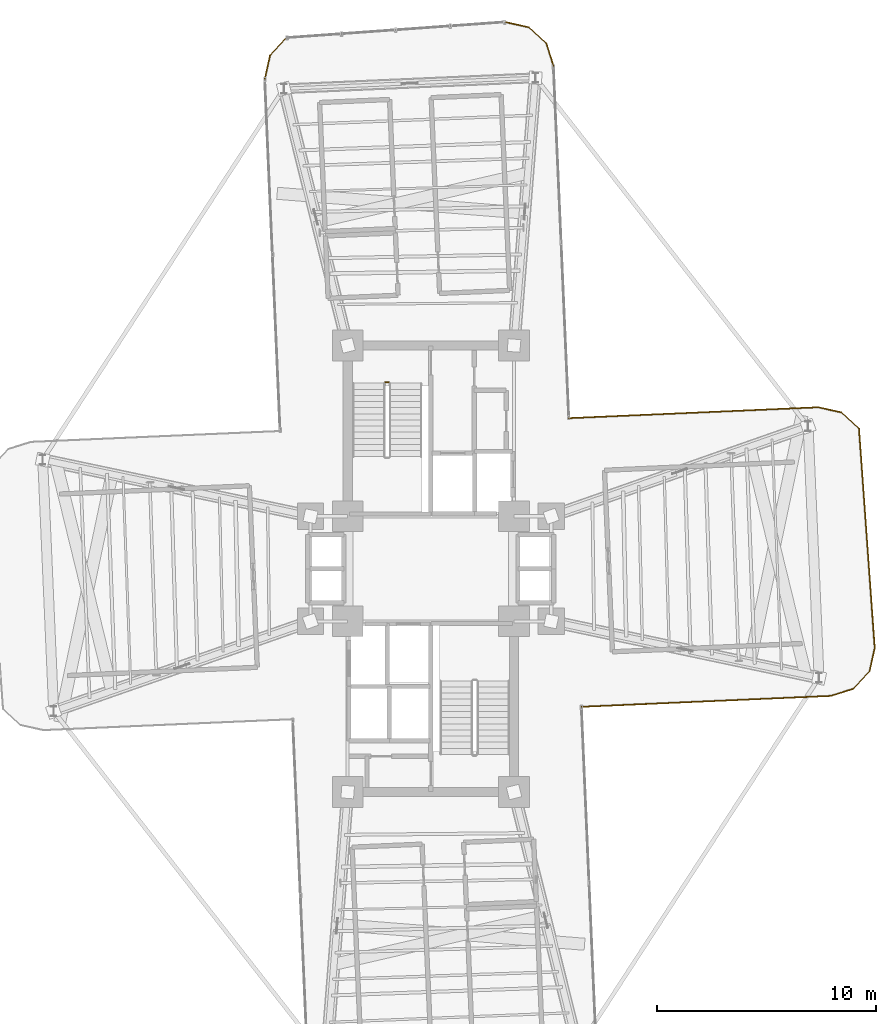
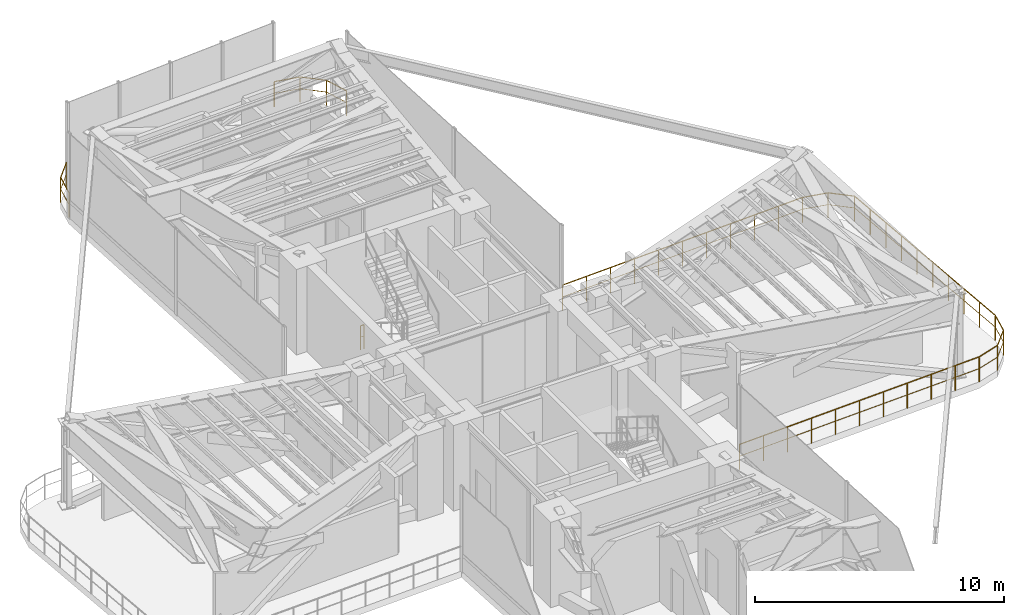
# One storey, part 18 of 18: 14 railings.
"""IFC4 building model written with IfcOpenShell, lengths in metres."""

from ifc_helpers import new_model, si_unit, direction, frame, origin, origin_2d, place, context, subcontext, project, spatial, circle, extrude, material, type_object, element, save


model = new_model("IFC4")

# Units and contexts
model_context = context("Model", 3, precision=1e-05, world=origin(), true_north=direction((0.0, 1.0)))
body_context = subcontext(model_context, "Body", "Model", "MODEL_VIEW")
ifc_project = project(units=[si_unit("LENGTHUNIT", "METRE"), si_unit("AREAUNIT", "SQUARE_METRE"), si_unit("VOLUMEUNIT", "CUBIC_METRE"), si_unit("PLANEANGLEUNIT", "RADIAN"), si_unit("MASSUNIT", "GRAM", prefix="KILO")], contexts=[model_context])

# Site, building, storey
site_placement = place(None, origin())
site = spatial("IfcSite", under=ifc_project, at=site_placement, CompositionType="ELEMENT")
building_placement = place(site_placement, origin())
building = spatial("IfcBuilding", under=site, at=building_placement, Name="Sahyath Konkavel Grand Hotel", CompositionType="ELEMENT")
storey_placement = place(building_placement, frame((0.0, 0.0, 138.25)))
storey = spatial("IfcBuildingStorey", under=building, at=storey_placement, Name="L38", CompositionType="ELEMENT", Elevation=138.25)

# Railings
ifc_material_1 = material(Name="Steel E350", Category="steel")
railing_type_1 = type_object("IfcRailingType", Name="RLG-STAIR-GRD", PredefinedType="GUARDRAIL", material=ifc_material_1)
railing_1_placement = place(storey_placement, frame((-2.080078125, 8.530029296875, 0.0)))
element("IfcRailing", 1, at=railing_1_placement, inside=storey, type_object=railing_type_1, Name="L38 ST-1 stair guard 4", PredefinedType="GUARDRAIL", context=body_context, shape_type="SweptSolid", body=[
    extrude(circle(Radius=0.02392578125, at=origin_2d()), frame((0.001953125, 0.0, 1.17578125), z_axis=(1.0, 0.0, 0.0), x_axis=(0.0, 1.0, 0.0)), (0.0, 0.0, 1.0), 0.15625),
    extrude(circle(Radius=0.01416015625, at=origin_2d()), frame((0.001953125, 0.0, 0.6240234375), z_axis=(1.0, 0.0, 0.0), x_axis=(0.0, 1.0, 0.0)), (0.0, 0.0, 1.0), 0.15625),
    extrude(circle(Radius=0.02099609375, at=origin_2d()), origin(), (0.0, 0.0, 1.0), 1.15185546875),
    extrude(circle(Radius=0.02099609375, at=origin_2d()), frame((0.16015625, 0.0, 0.0)), (0.0, 0.0, 1.0), 1.15185546875),
])
ifc_material_2 = material(Name="Warm Buff Sandstone & Bronze Balustrade", Category="masonry")
railing_type_2 = type_object("IfcRailingType", Name="RLG-TERR-1250", PredefinedType="BALUSTRADE", material=ifc_material_2)
railing_2_placement = place(storey_placement, frame((6.881591796875, -6.305908203125, 0.0)))
element("IfcRailing", 2, at=railing_2_placement, inside=storey, type_object=railing_type_2, Name="L38 Fire Refuge Perimeter Guard 0", PredefinedType="BALUSTRADE", context=body_context, shape_type="SweptSolid", body=[
    extrude(circle(Radius=0.02392578125, at=origin_2d()), frame((0.001953125, 0.0, 1.22607421875), z_axis=(0.999048019042, 0.04362402604, 0.0), x_axis=(-0.04362402604, 0.999048019042, 0.0)), (0.0, 0.0, 1.0), 11.39599609375),
    extrude(circle(Radius=0.01416015625, at=origin_2d()), frame((0.001953125, 0.0, 0.64990234375), z_axis=(0.999048019042, 0.04362402604, 0.0), x_axis=(-0.04362402604, 0.999048019042, 0.0)), (0.0, 0.0, 1.0), 11.39599609375),
    extrude(circle(Radius=0.02099609375, at=origin_2d()), origin(), (0.0, 0.0, 1.0), 1.201904296875),
    extrude(circle(Radius=0.02099609375, at=origin_2d()), frame((1.138916015625, 0.0498046875, 0.0)), (0.0, 0.0, 1.0), 1.201904296875),
    extrude(circle(Radius=0.02099609375, at=origin_2d()), frame((2.27783203125, 0.099365234375, 0.0)), (0.0, 0.0, 1.0), 1.201904296875),
    extrude(circle(Radius=0.02099609375, at=origin_2d()), frame((3.416748046875, 0.149169921875, 0.0)), (0.0, 0.0, 1.0), 1.201904296875),
    extrude(circle(Radius=0.02099609375, at=origin_2d()), frame((4.5556640625, 0.198974609375, 0.0)), (0.0, 0.0, 1.0), 1.201904296875),
    extrude(circle(Radius=0.02099609375, at=origin_2d()), frame((5.694580078125, 0.24853515625, 0.0)), (0.0, 0.0, 1.0), 1.201904296875),
    extrude(circle(Radius=0.02099609375, at=origin_2d()), frame((6.83349609375, 0.29833984375, 0.0)), (0.0, 0.0, 1.0), 1.201904296875),
    extrude(circle(Radius=0.02099609375, at=origin_2d()), frame((7.972412109375, 0.34814453125, 0.0)), (0.0, 0.0, 1.0), 1.201904296875),
    extrude(circle(Radius=0.02099609375, at=origin_2d()), frame((9.111328125, 0.39794921875, 0.0)), (0.0, 0.0, 1.0), 1.201904296875),
    extrude(circle(Radius=0.02099609375, at=origin_2d()), frame((10.250244140625, 0.447509765625, 0.0)), (0.0, 0.0, 1.0), 1.201904296875),
    extrude(circle(Radius=0.02099609375, at=origin_2d()), frame((11.38916015625, 0.497314453125, 0.0)), (0.0, 0.0, 1.0), 1.201904296875),
])
railing_3_placement = place(storey_placement, frame((18.270751953125, -5.80859375, 0.0)))
element("IfcRailing", 3, at=railing_3_placement, inside=storey, type_object=railing_type_2, Name="L38 Fire Refuge Perimeter Guard 1", PredefinedType="BALUSTRADE", context=body_context, shape_type="SweptSolid", body=[
    extrude(circle(Radius=0.02392578125, at=origin_2d()), frame((0.001953125, 0.00048828125, 1.22607421875), z_axis=(0.953721713582, 0.30069069331, 0.0), x_axis=(-0.30069069331, 0.953721713582, 0.0)), (0.0, 0.0, 1.0), 1.083251953125),
    extrude(circle(Radius=0.01416015625, at=origin_2d()), frame((0.001953125, 0.00048828125, 0.64990234375), z_axis=(0.953721713582, 0.30069069331, 0.0), x_axis=(-0.30069069331, 0.953721713582, 0.0)), (0.0, 0.0, 1.0), 1.083251953125),
    extrude(circle(Radius=0.02099609375, at=origin_2d()), origin(), (0.0, 0.0, 1.0), 1.201904296875),
    extrude(circle(Radius=0.02099609375, at=origin_2d()), frame((1.036865234375, 0.326904296875, 0.0)), (0.0, 0.0, 1.0), 1.201904296875),
])
railing_4_placement = place(storey_placement, frame((19.3076171875, -5.481689453125, 0.0)))
element("IfcRailing", 4, at=railing_4_placement, inside=storey, type_object=railing_type_2, Name="L38 Fire Refuge Perimeter Guard 2", PredefinedType="BALUSTRADE", context=body_context, shape_type="SweptSolid", body=[
    extrude(circle(Radius=0.02392578125, at=origin_2d()), frame((0.00146484375, 0.00146484375, 1.22607421875), z_axis=(0.675551721847, 0.737312600672, 0.0), x_axis=(-0.737312600672, 0.675551721847, 0.0)), (0.0, 0.0, 1.0), 1.0830078125),
    extrude(circle(Radius=0.01416015625, at=origin_2d()), frame((0.00146484375, 0.00146484375, 0.64990234375), z_axis=(0.675551721847, 0.737312600672, 0.0), x_axis=(-0.737312600672, 0.675551721847, 0.0)), (0.0, 0.0, 1.0), 1.0830078125),
    extrude(circle(Radius=0.02099609375, at=origin_2d()), origin(), (0.0, 0.0, 1.0), 1.201904296875),
    extrude(circle(Radius=0.02099609375, at=origin_2d()), frame((0.734375, 0.801513671875, 0.0)), (0.0, 0.0, 1.0), 1.201904296875),
])
railing_5_placement = place(storey_placement, frame((20.0419921875, -4.68017578125, 0.0)))
element("IfcRailing", 5, at=railing_5_placement, inside=storey, type_object=railing_type_2, Name="L38 Fire Refuge Perimeter Guard 3", PredefinedType="BALUSTRADE", context=body_context, shape_type="SweptSolid", body=[
    extrude(circle(Radius=0.02392578125, at=origin_2d()), frame((0.00048828125, 0.001953125, 1.22607421875), z_axis=(0.216288323511, 0.976329535102, 0.0), x_axis=(-0.976329535102, 0.216288323511, 0.0)), (0.0, 0.0, 1.0), 1.0830078125),
    extrude(circle(Radius=0.01416015625, at=origin_2d()), frame((0.00048828125, 0.001953125, 0.64990234375), z_axis=(0.216288323511, 0.976329535102, 0.0), x_axis=(-0.976329535102, 0.216288323511, 0.0)), (0.0, 0.0, 1.0), 1.0830078125),
    extrude(circle(Radius=0.02099609375, at=origin_2d()), origin(), (0.0, 0.0, 1.0), 1.201904296875),
    extrude(circle(Radius=0.02099609375, at=origin_2d()), frame((0.235107421875, 1.061279296875, 0.0)), (0.0, 0.0, 1.0), 1.201904296875),
])
railing_6_placement = place(storey_placement, frame((20.277099609375, -3.618896484375, 0.0)))
element("IfcRailing", 6, at=railing_6_placement, inside=storey, type_object=railing_type_2, Name="L38 Fire Refuge Perimeter Guard 4", PredefinedType="BALUSTRADE", context=body_context, shape_type="SweptSolid", body=[
    extrude(circle(Radius=0.02392578125, at=origin_2d()), frame((-0.000244140625, 0.001953125, 1.22607421875), z_axis=(-0.071562852438, 0.997436092264, 0.0), x_axis=(-0.997436092264, -0.071562852438, 0.0)), (0.0, 0.0, 1.0), 10.0498046875),
    extrude(circle(Radius=0.01416015625, at=origin_2d()), frame((-0.000244140625, 0.001953125, 0.64990234375), z_axis=(-0.071562852438, 0.997436092264, 0.0), x_axis=(-0.997436092264, -0.071562852438, 0.0)), (0.0, 0.0, 1.0), 10.0498046875),
    extrude(circle(Radius=0.02099609375, at=origin_2d()), origin(), (0.0, 0.0, 1.0), 1.201904296875),
    extrude(circle(Radius=0.02099609375, at=origin_2d()), frame((-0.079833984375, 1.1142578125, 0.0)), (0.0, 0.0, 1.0), 1.201904296875),
    extrude(circle(Radius=0.02099609375, at=origin_2d()), frame((-0.159912109375, 2.228515625, 0.0)), (0.0, 0.0, 1.0), 1.201904296875),
    extrude(circle(Radius=0.02099609375, at=origin_2d()), frame((-0.23974609375, 3.3427734375, 0.0)), (0.0, 0.0, 1.0), 1.201904296875),
    extrude(circle(Radius=0.02099609375, at=origin_2d()), frame((-0.31982421875, 4.45703125, 0.0)), (0.0, 0.0, 1.0), 1.201904296875),
    extrude(circle(Radius=0.02099609375, at=origin_2d()), frame((-0.399658203125, 5.571044921875, 0.0)), (0.0, 0.0, 1.0), 1.201904296875),
    extrude(circle(Radius=0.02099609375, at=origin_2d()), frame((-0.479736328125, 6.685302734375, 0.0)), (0.0, 0.0, 1.0), 1.201904296875),
    extrude(circle(Radius=0.02099609375, at=origin_2d()), frame((-0.5595703125, 7.799560546875, 0.0)), (0.0, 0.0, 1.0), 1.201904296875),
    extrude(circle(Radius=0.02099609375, at=origin_2d()), frame((-0.6396484375, 8.913818359375, 0.0)), (0.0, 0.0, 1.0), 1.201904296875),
    extrude(circle(Radius=0.02099609375, at=origin_2d()), frame((-0.719482421875, 10.028076171875, 0.0)), (0.0, 0.0, 1.0), 1.201904296875),
])
railing_7_placement = place(storey_placement, frame((19.5576171875, 6.4091796875, 0.0)))
element("IfcRailing", 7, at=railing_7_placement, inside=storey, type_object=railing_type_2, Name="L38 Fire Refuge Perimeter Guard 5", PredefinedType="BALUSTRADE", context=body_context, shape_type="SweptSolid", body=[
    extrude(circle(Radius=0.02392578125, at=origin_2d()), frame((-0.00146484375, 0.00146484375, 1.22607421875), z_axis=(-0.737210081318, 0.675663596772, 0.0), x_axis=(-0.675663596772, -0.737210081318, 0.0)), (0.0, 0.0, 1.0), 1.0830078125),
    extrude(circle(Radius=0.01416015625, at=origin_2d()), frame((-0.00146484375, 0.00146484375, 0.64990234375), z_axis=(-0.737210081318, 0.675663596772, 0.0), x_axis=(-0.675663596772, -0.737210081318, 0.0)), (0.0, 0.0, 1.0), 1.0830078125),
    extrude(circle(Radius=0.02099609375, at=origin_2d()), origin(), (0.0, 0.0, 1.0), 1.201904296875),
    extrude(circle(Radius=0.02099609375, at=origin_2d()), frame((-0.80126953125, 0.734375, 0.0)), (0.0, 0.0, 1.0), 1.201904296875),
])
railing_8_placement = place(storey_placement, frame((18.75634765625, 7.1435546875, 0.0)))
element("IfcRailing", 8, at=railing_8_placement, inside=storey, type_object=railing_type_2, Name="L38 Fire Refuge Perimeter Guard 6", PredefinedType="BALUSTRADE", context=body_context, shape_type="SweptSolid", body=[
    extrude(circle(Radius=0.02392578125, at=origin_2d()), frame((-0.001953125, 0.00048828125, 1.22607421875), z_axis=(-0.976282085775, 0.216502399514, 0.0), x_axis=(-0.216502399514, -0.976282085775, 0.0)), (0.0, 0.0, 1.0), 1.0830078125),
    extrude(circle(Radius=0.01416015625, at=origin_2d()), frame((-0.001953125, 0.00048828125, 0.64990234375), z_axis=(-0.976282085775, 0.216502399514, 0.0), x_axis=(-0.216502399514, -0.976282085775, 0.0)), (0.0, 0.0, 1.0), 1.0830078125),
    extrude(circle(Radius=0.02099609375, at=origin_2d()), origin(), (0.0, 0.0, 1.0), 1.201904296875),
    extrude(circle(Radius=0.02099609375, at=origin_2d()), frame((-1.061279296875, 0.2353515625, 0.0)), (0.0, 0.0, 1.0), 1.201904296875),
])
railing_9_placement = place(storey_placement, frame((17.695068359375, 7.37890625, 0.0)))
element("IfcRailing", 9, at=railing_9_placement, inside=storey, type_object=railing_type_2, Name="L38 Fire Refuge Perimeter Guard 7", PredefinedType="BALUSTRADE", context=body_context, shape_type="SweptSolid", body=[
    extrude(circle(Radius=0.02392578125, at=origin_2d()), frame((-0.001953125, 0.0, 1.22607421875), z_axis=(-0.999048019042, -0.04362402604, 0.0), x_axis=(0.04362402604, -0.999048019042, 0.0)), (0.0, 0.0, 1.0), 11.39599609375),
    extrude(circle(Radius=0.01416015625, at=origin_2d()), frame((-0.001953125, 0.0, 0.64990234375), z_axis=(-0.999048019042, -0.04362402604, 0.0), x_axis=(0.04362402604, -0.999048019042, 0.0)), (0.0, 0.0, 1.0), 11.39599609375),
    extrude(circle(Radius=0.02099609375, at=origin_2d()), origin(), (0.0, 0.0, 1.0), 1.201904296875),
    extrude(circle(Radius=0.02099609375, at=origin_2d()), frame((-1.138916015625, -0.0498046875, 0.0)), (0.0, 0.0, 1.0), 1.201904296875),
    extrude(circle(Radius=0.02099609375, at=origin_2d()), frame((-2.27783203125, -0.099365234375, 0.0)), (0.0, 0.0, 1.0), 1.201904296875),
    extrude(circle(Radius=0.02099609375, at=origin_2d()), frame((-3.416748046875, -0.149169921875, 0.0)), (0.0, 0.0, 1.0), 1.201904296875),
    extrude(circle(Radius=0.02099609375, at=origin_2d()), frame((-4.5556640625, -0.198974609375, 0.0)), (0.0, 0.0, 1.0), 1.201904296875),
    extrude(circle(Radius=0.02099609375, at=origin_2d()), frame((-5.694580078125, -0.24853515625, 0.0)), (0.0, 0.0, 1.0), 1.201904296875),
    extrude(circle(Radius=0.02099609375, at=origin_2d()), frame((-6.83349609375, -0.29833984375, 0.0)), (0.0, 0.0, 1.0), 1.201904296875),
    extrude(circle(Radius=0.02099609375, at=origin_2d()), frame((-7.972412109375, -0.34814453125, 0.0)), (0.0, 0.0, 1.0), 1.201904296875),
    extrude(circle(Radius=0.02099609375, at=origin_2d()), frame((-9.111328125, -0.39794921875, 0.0)), (0.0, 0.0, 1.0), 1.201904296875),
    extrude(circle(Radius=0.02099609375, at=origin_2d()), frame((-10.250244140625, -0.447509765625, 0.0)), (0.0, 0.0, 1.0), 1.201904296875),
    extrude(circle(Radius=0.02099609375, at=origin_2d()), frame((-11.38916015625, -0.497314453125, 0.0)), (0.0, 0.0, 1.0), 1.201904296875),
])
railing_10_placement = place(storey_placement, frame((5.603515625, 22.96630859375, 0.0)))
element("IfcRailing", 10, at=railing_10_placement, inside=storey, type_object=railing_type_2, Name="L38 Fire Refuge Perimeter Guard 9", PredefinedType="BALUSTRADE", context=body_context, shape_type="SweptSolid", body=[
    extrude(circle(Radius=0.02392578125, at=origin_2d()), frame((-0.00048828125, 0.001953125, 1.22607421875), z_axis=(-0.300755105707, 0.953701403161, 0.0), x_axis=(-0.953701403161, -0.300755105707, 0.0)), (0.0, 0.0, 1.0), 1.0830078125),
    extrude(circle(Radius=0.01416015625, at=origin_2d()), frame((-0.00048828125, 0.001953125, 0.64990234375), z_axis=(-0.300755105707, 0.953701403161, 0.0), x_axis=(-0.953701403161, -0.300755105707, 0.0)), (0.0, 0.0, 1.0), 1.0830078125),
    extrude(circle(Radius=0.02099609375, at=origin_2d()), origin(), (0.0, 0.0, 1.0), 1.201904296875),
    extrude(circle(Radius=0.02099609375, at=origin_2d()), frame((-0.326904296875, 1.03662109375, 0.0)), (0.0, 0.0, 1.0), 1.201904296875),
])
railing_11_placement = place(storey_placement, frame((5.276611328125, 24.0029296875, 0.0)))
element("IfcRailing", 11, at=railing_11_placement, inside=storey, type_object=railing_type_2, Name="L38 Fire Refuge Perimeter Guard 10", PredefinedType="BALUSTRADE", context=body_context, shape_type="SweptSolid", body=[
    extrude(circle(Radius=0.02392578125, at=origin_2d()), frame((-0.00146484375, 0.00146484375, 1.22607421875), z_axis=(-0.737312600672, 0.675551721847, 0.0), x_axis=(-0.675551721847, -0.737312600672, 0.0)), (0.0, 0.0, 1.0), 1.0830078125),
    extrude(circle(Radius=0.01416015625, at=origin_2d()), frame((-0.00146484375, 0.00146484375, 0.64990234375), z_axis=(-0.737312600672, 0.675551721847, 0.0), x_axis=(-0.675551721847, -0.737312600672, 0.0)), (0.0, 0.0, 1.0), 1.0830078125),
    extrude(circle(Radius=0.02099609375, at=origin_2d()), origin(), (0.0, 0.0, 1.0), 1.201904296875),
    extrude(circle(Radius=0.02099609375, at=origin_2d()), frame((-0.801513671875, 0.734375, 0.0)), (0.0, 0.0, 1.0), 1.201904296875),
])
railing_12_placement = place(storey_placement, frame((4.47509765625, 24.7373046875, 0.0)))
element("IfcRailing", 12, at=railing_12_placement, inside=storey, type_object=railing_type_2, Name="L38 Fire Refuge Perimeter Guard 11", PredefinedType="BALUSTRADE", context=body_context, shape_type="SweptSolid", body=[
    extrude(circle(Radius=0.02392578125, at=origin_2d()), frame((-0.001953125, 0.00048828125, 1.22607421875), z_axis=(-0.976271555154, 0.216549880158, 0.0), x_axis=(-0.216549880158, -0.976271555154, 0.0)), (0.0, 0.0, 1.0), 1.082763671875),
    extrude(circle(Radius=0.01416015625, at=origin_2d()), frame((-0.001953125, 0.00048828125, 0.64990234375), z_axis=(-0.976271555154, 0.216549880158, 0.0), x_axis=(-0.216549880158, -0.976271555154, 0.0)), (0.0, 0.0, 1.0), 1.082763671875),
    extrude(circle(Radius=0.02099609375, at=origin_2d()), origin(), (0.0, 0.0, 1.0), 1.201904296875),
    extrude(circle(Radius=0.02099609375, at=origin_2d()), frame((-1.06103515625, 0.2353515625, 0.0)), (0.0, 0.0, 1.0), 1.201904296875),
])
railing_13_placement = place(storey_placement, frame((-6.6142578125, 24.253173828125, 0.0)))
element("IfcRailing", 13, at=railing_13_placement, inside=storey, type_object=railing_type_2, Name="L38 Fire Refuge Perimeter Guard 13", PredefinedType="BALUSTRADE", context=body_context, shape_type="SweptSolid", body=[
    extrude(circle(Radius=0.02392578125, at=origin_2d()), frame((-0.00146484375, -0.00146484375, 1.22607421875), z_axis=(-0.675663596772, -0.737210081318, 0.0), x_axis=(0.737210081318, -0.675663596772, 0.0)), (0.0, 0.0, 1.0), 1.0830078125),
    extrude(circle(Radius=0.01416015625, at=origin_2d()), frame((-0.00146484375, -0.00146484375, 0.64990234375), z_axis=(-0.675663596772, -0.737210081318, 0.0), x_axis=(0.737210081318, -0.675663596772, 0.0)), (0.0, 0.0, 1.0), 1.0830078125),
    extrude(circle(Radius=0.02099609375, at=origin_2d()), origin(), (0.0, 0.0, 1.0), 1.201904296875),
    extrude(circle(Radius=0.02099609375, at=origin_2d()), frame((-0.734375, -0.80126953125, 0.0)), (0.0, 0.0, 1.0), 1.201904296875),
])
railing_14_placement = place(storey_placement, frame((-7.3486328125, 23.451904296875, 0.0)))
element("IfcRailing", 14, at=railing_14_placement, inside=storey, type_object=railing_type_2, Name="L38 Fire Refuge Perimeter Guard 14", PredefinedType="BALUSTRADE", context=body_context, shape_type="SweptSolid", body=[
    extrude(circle(Radius=0.02392578125, at=origin_2d()), frame((-0.00048828125, -0.001953125, 1.22607421875), z_axis=(-0.216454939174, -0.976292609471, 0.0), x_axis=(0.976292609471, -0.216454939174, 0.0)), (0.0, 0.0, 1.0), 1.083251953125),
    extrude(circle(Radius=0.01416015625, at=origin_2d()), frame((-0.00048828125, -0.001953125, 0.64990234375), z_axis=(-0.216454939174, -0.976292609471, 0.0), x_axis=(0.976292609471, -0.216454939174, 0.0)), (0.0, 0.0, 1.0), 1.083251953125),
    extrude(circle(Radius=0.02099609375, at=origin_2d()), origin(), (0.0, 0.0, 1.0), 1.201904296875),
    extrude(circle(Radius=0.02099609375, at=origin_2d()), frame((-0.2353515625, -1.0615234375, 0.0)), (0.0, 0.0, 1.0), 1.201904296875),
])

save(model, "model.ifc")
